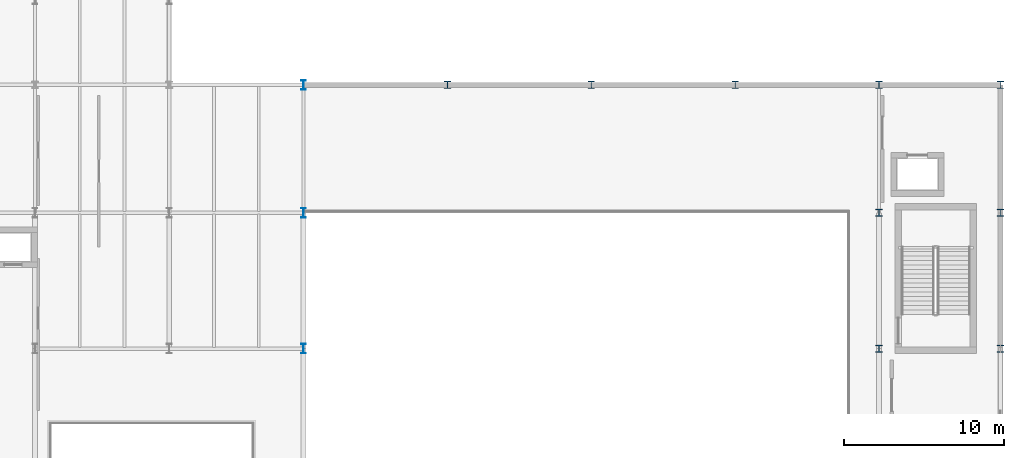
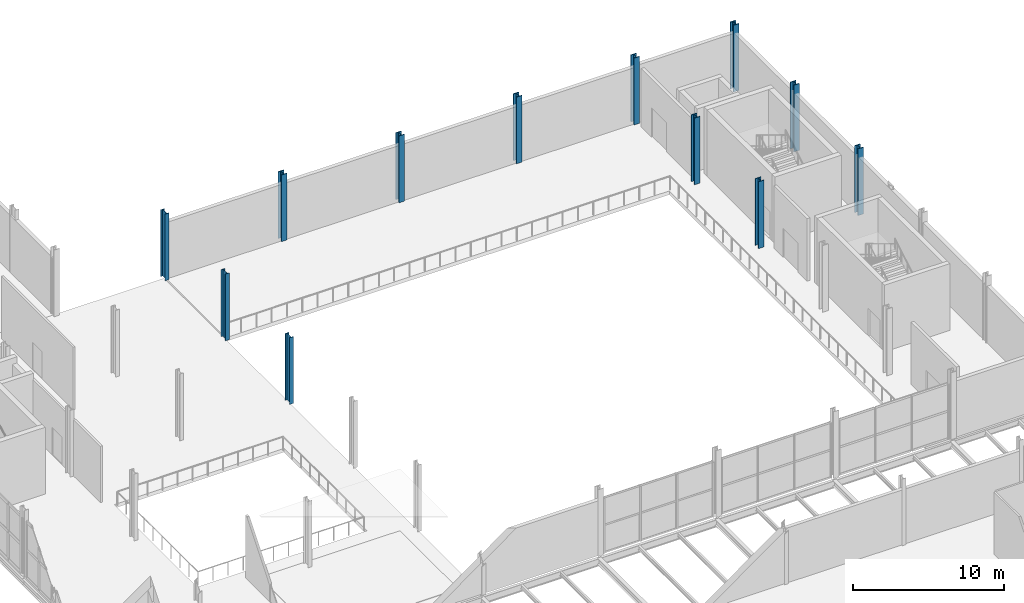
# One storey, part 15 of 78: 12 columns.
"""IFC4 building model written with IfcOpenShell, lengths in metres."""

import ifcopenshell
import ifcopenshell.guid

model = None  # the IFC model being written
_history = None  # IfcOwnerHistory: only IFC2X3 demands one
_inside = {}  # id of a spatial element -> (the spatial element, [elements in it])
_under = {}  # id of a project, library or spatial element -> (it, [spatial elements below it])
_declared = {}  # id of a project -> (the project, [libraries it declares])
_typed = {}  # id of a type object -> (the type object, [elements of that type])
_made_of = {}  # id of a material, layer set ... -> (it, [elements and type objects made of it])


def new_model(schema):
    """Start an empty IFC model of exactly this schema.

    Asked for "IFC4X3", IfcOpenShell would pick the latest addendum, in which some entities
    have other attributes; the version numbers below select the first issue.
    IFC2X3 requires an IfcOwnerHistory on every rooted entity: one is made here for all.
    """
    global model, _history
    if schema == "IFC4X3":
        model = ifcopenshell.file(schema_version=(4, 3, 0, 0))
    else:
        model = ifcopenshell.file(schema=schema)
    _inside.clear()
    _under.clear()
    _declared.clear()
    _typed.clear()
    _made_of.clear()
    _history = None
    if model.schema == "IFC2X3":
        org = make("IfcOrganization", Name="unknown")
        user = make(
            "IfcPersonAndOrganization",
            ThePerson=make("IfcPerson", FamilyName="unknown"),
            TheOrganization=org,
        )
        app = make(
            "IfcApplication",
            ApplicationDeveloper=org,
            Version="unknown",
            ApplicationFullName="unknown",
            ApplicationIdentifier="unknown",
        )
        _history = make(
            "IfcOwnerHistory",
            OwningUser=user,
            OwningApplication=app,
            ChangeAction="ADDED",
            CreationDate=0,
        )
    return model


def make(cls, **values):
    """One entity of the class cls with the attributes given. An attribute that is None is left unset."""
    return model.create_entity(
        cls, **{name: value for name, value in values.items() if value is not None}
    )


def rooted(cls, **values):
    """An entity with a GlobalId (a new one), such as an element, a storey or a relation."""
    return make(cls, GlobalId=ifcopenshell.guid.new(), OwnerHistory=_history, **values)


def si_unit(unit_type, name, prefix=None):
    """IfcSIUnit, for example si_unit("LENGTHUNIT", "METRE", prefix="MILLI")."""
    return make("IfcSIUnit", UnitType=unit_type, Prefix=prefix, Name=name)


def assignment(units):
    """IfcUnitAssignment: the units of a project."""
    return None if units is None else make("IfcUnitAssignment", Units=units)


def point(xyz):
    """IfcCartesianPoint."""
    return None if xyz is None else make("IfcCartesianPoint", Coordinates=xyz)


def direction(xyz):
    """IfcDirection."""
    return None if xyz is None else make("IfcDirection", DirectionRatios=xyz)


def frame(location, z_axis=None, x_axis=None):
    """IfcAxis2Placement3D, a coordinate frame: its origin and axes. An axis left out is left unset."""
    return make(
        "IfcAxis2Placement3D",
        Location=point(location),
        Axis=direction(z_axis),
        RefDirection=direction(x_axis),
    )


def frame_2d(location, x_axis=None):
    """IfcAxis2Placement2D, a coordinate frame in the plane: its origin and x axis."""
    return make(
        "IfcAxis2Placement2D", Location=point(location), RefDirection=direction(x_axis)
    )


def origin():
    """The frame at (0, 0, 0) with its axes left unset."""
    return frame((0.0, 0.0, 0.0))


def origin_2d():
    """The frame at (0, 0) in the plane with its x axis left unset."""
    return frame_2d((0.0, 0.0))


def place(relative_to, where):
    """IfcLocalPlacement: puts the frame where relative to a parent placement (None: the world)."""
    return make(
        "IfcLocalPlacement", PlacementRelTo=relative_to, RelativePlacement=where
    )


def context(
    kind, dimensions, precision=None, world=None, true_north=None, identifier=None
):
    """IfcGeometricRepresentationContext, for example the 3D "Model" context."""
    return make(
        "IfcGeometricRepresentationContext",
        ContextIdentifier=identifier,
        ContextType=kind,
        CoordinateSpaceDimension=dimensions,
        Precision=precision,
        WorldCoordinateSystem=world,
        TrueNorth=true_north,
    )


def subcontext(parent, identifier, kind, view, scale=None):
    """IfcGeometricRepresentationSubContext, for example "Body" below "Model"."""
    return make(
        "IfcGeometricRepresentationSubContext",
        ContextIdentifier=identifier,
        ContextType=kind,
        ParentContext=parent,
        TargetScale=scale,
        TargetView=view,
    )


def project(units=None, contexts=None):
    """IfcProject with its units and contexts."""
    return rooted(
        "IfcProject",
        Name="project",
        RepresentationContexts=contexts,
        UnitsInContext=assignment(units),
    )


def spatial(cls, under=None, at=None, **own):
    """A site, building, storey or space (cls), placed at a placement, below another one or the project."""
    s = rooted(cls, ObjectPlacement=at, **own)
    if under is not None:
        _under.setdefault(under.id(), (under, []))[1].append(s)
    return s


def profile(cls, at=None, kind="AREA", **sizes):
    """A parametric profile (cls). Its sizes go by their IFC names, for example OverallWidth=200.0."""
    return make(cls, ProfileType=kind, Position=at, **sizes)


def i_section(**sizes):
    """IfcIShapeProfileDef."""
    return profile("IfcIShapeProfileDef", **sizes)


def extrude(swept, where, along, depth):
    """IfcExtrudedAreaSolid: the profile swept, set in the frame where, extruded along a direction by depth."""
    return make(
        "IfcExtrudedAreaSolid",
        SweptArea=swept,
        Position=where,
        ExtrudedDirection=direction(along),
        Depth=depth,
    )


def shape(context_of_items, identifier, shape_type, items):
    """IfcShapeRepresentation: the items that make up one representation, for example the "Body"."""
    return make(
        "IfcShapeRepresentation",
        ContextOfItems=context_of_items,
        RepresentationIdentifier=identifier,
        RepresentationType=shape_type,
        Items=items,
    )


def material(Name=None, Category=None):
    """IfcMaterial."""
    return make("IfcMaterial", Name=Name, Category=Category)


def material_profile(
    of_material, cross_section, Name=None, Category=None, Priority=None
):
    """IfcMaterialProfile: a cross section and its material."""
    return make(
        "IfcMaterialProfile",
        Name=Name,
        Material=of_material,
        Profile=cross_section,
        Priority=Priority,
        Category=Category,
    )


def profile_set(profiles, Name=None, composite=None):
    """IfcMaterialProfileSet."""
    return make(
        "IfcMaterialProfileSet",
        Name=Name,
        MaterialProfiles=profiles,
        CompositeProfile=composite,
    )


def made_of(thing, what):
    """Note that an element or type object is made of a material, layer set ...; save() writes the relation."""
    if what is not None:
        _made_of.setdefault(what.id(), (what, []))[1].append(thing)
    return thing


def type_object(cls, material=None, **own):
    """A type object (cls), such as IfcWallType, which elements share."""
    return made_of(rooted(cls, **own), material)


def element(
    cls,
    number,
    at=None,
    inside=None,
    cuts=None,
    type_object=None,
    material=None,
    context=None,
    identifier="Body",
    shape_type=None,
    held_by="IfcProductDefinitionShape",
    body=None,
    shapes=None,
    **own,
):
    """One element of the class cls, such as IfcWall. Its Tag is "e" and its number.

    at: its placement. inside: the storey or other place that contains it. cuts: it is an
    opening in that element (IfcRelVoidsElement). A single representation is given by context,
    identifier, shape_type and body (its items); several are given by shapes. held_by: the class
    of the entity that holds the representations. save() writes the other relations.
    """
    e = rooted(cls, Tag="e%d" % number, ObjectPlacement=at, **own)
    if body is not None:
        shapes = [shape(context, identifier, shape_type, body)]
    if shapes is not None:
        e.Representation = make(held_by, Representations=shapes)
    if inside is not None:
        _inside.setdefault(inside.id(), (inside, []))[1].append(e)
    if cuts is not None:
        rooted(
            "IfcRelVoidsElement", RelatingBuildingElement=cuts, RelatedOpeningElement=e
        )
    if type_object is not None:
        _typed.setdefault(type_object.id(), (type_object, []))[1].append(e)
    return made_of(e, material)


def aggregate(whole, parts):
    """IfcRelAggregates: a whole, such as a stair, and the parts it consists of."""
    return rooted("IfcRelAggregates", RelatingObject=whole, RelatedObjects=parts)


def save(model, path):
    """Write the relations noted so far, then the file.

    IfcRelAggregates (storeys below a building ...), IfcRelContainedInSpatialStructure (elements
    in a storey), IfcRelDefinesByType, IfcRelAssociatesMaterial and IfcRelDeclares: one each for
    every whole, place, type object, material and project.
    """
    for whole, parts in _under.values():
        aggregate(whole, parts)
    for where, things in _inside.values():
        rooted(
            "IfcRelContainedInSpatialStructure",
            RelatedElements=things,
            RelatingStructure=where,
        )
    for kind, things in _typed.values():
        rooted("IfcRelDefinesByType", RelatedObjects=things, RelatingType=kind)
    for what, things in _made_of.values():
        rooted("IfcRelAssociatesMaterial", RelatedObjects=things, RelatingMaterial=what)
    for by, libraries in _declared.values():
        rooted("IfcRelDeclares", RelatingContext=by, RelatedDefinitions=libraries)
    model.write(path)


model = new_model("IFC4")

# Units and contexts
model_context = context("Model", 3, precision=1e-05, world=origin(), true_north=direction((0.0, 1.0)))
body_context = subcontext(model_context, "Body", "Model", "MODEL_VIEW")
ifc_project = project(units=[si_unit("LENGTHUNIT", "METRE"), si_unit("AREAUNIT", "SQUARE_METRE"), si_unit("VOLUMEUNIT", "CUBIC_METRE"), si_unit("PLANEANGLEUNIT", "RADIAN"), si_unit("MASSUNIT", "GRAM", prefix="KILO")], contexts=[model_context])

# Site, building, storey
site_placement = place(None, origin())
site = spatial("IfcSite", under=ifc_project, at=site_placement, CompositionType="ELEMENT")
building_placement = place(site_placement, origin())
building = spatial("IfcBuilding", under=site, at=building_placement, Name="Sefraquen Railside Congress Hotel", CompositionType="ELEMENT")
storey_placement = place(building_placement, frame((0.0, 0.0, 6.0)))
storey = spatial("IfcBuildingStorey", under=building, at=storey_placement, Name="L01", CompositionType="ELEMENT", Elevation=6.0)

# Columns
ifc_material_1 = material(Name="Steel S355J2", Category="steel")
ifc_material_profile_1 = material_profile(ifc_material_1, i_section(OverallWidth=0.424072265625, OverallDepth=0.47412109375, WebThickness=0.044921875, FlangeThickness=0.054931640625, FilletRadius=0.014892578125, at=origin_2d()), Name="HD 400x634")
ifc_profile_set_1 = profile_set([ifc_material_profile_1], Name="Steel S355J2")
column_type_1 = type_object("IfcColumnType", Name="TC-HD-634", PredefinedType="COLUMN", material=ifc_profile_set_1)
for number, where, z_axis, x_axis, name in (
    (1, (164.39990234375, 79.5, 0.0), (0.0, 0.0, 1.0), (1.0, 0.0, 0.0), "Structural column 21-K L01"),
    (2, (164.39990234375, 88.0, 0.0), (0.0, 0.0, 1.0), (1.0, 0.0, 0.0), "Structural column 21-L L01"),
    (3, (164.39990234375, 96.0, 0.0), (0.0, 0.0, 1.0), (1.0, 0.0, 0.0), "Structural column 21-M L01"),
    (4, (172.0, 79.5, 0.0), (0.0, 0.0, 1.0), (1.0, 0.0, 0.0), "Structural column 22-K L01"),
    (5, (172.0, 88.0, 0.0), (0.0, 0.0, 1.0), (1.0, 0.0, 0.0), "Structural column 22-L L01"),
    (6, (172.0, 96.0, 0.0), (0.0, 0.0, 1.0), (1.0, 0.0, 0.0), "Structural column 22-M L01"),
    (7, (137.39990234375, 96.0, 0.0), (0.0, 0.0, 1.0), (1.0, 0.0, 0.0), "Structural column 18-M L01"),
    (8, (146.39990234375, 96.0, 0.0), (0.0, 0.0, 1.0), (1.0, 0.0, 0.0), "Structural column 19-M L01"),
    (9, (155.39990234375, 96.0, 0.0), (0.0, 0.0, 1.0), (1.0, 0.0, 0.0), "Structural column 20-M L01"),
):
    element("IfcColumn", number, at=place(storey_placement, frame(where, z_axis=z_axis, x_axis=x_axis)), inside=storey, type_object=column_type_1, Name=name, PredefinedType="COLUMN", context=body_context, shape_type="SweptSolid", body=[
        extrude(i_section(OverallWidth=0.424072265625, OverallDepth=0.47412109375, WebThickness=0.044921875, FlangeThickness=0.054931640625, FilletRadius=0.014892578125, at=origin_2d()), origin(), (0.0, 0.0, 1.0), 5.39990234375),
    ])
ifc_material_2 = material(Name="Steel S355JR", Category="steel")
ifc_material_profile_2 = material_profile(ifc_material_2, i_section(OverallWidth=0.300048828125, OverallDepth=0.60009765625, WebThickness=0.015380859375, FlangeThickness=0.030029296875, FilletRadius=0.027099609375, at=origin_2d()), Name="HEB 600")
ifc_profile_set_2 = profile_set([ifc_material_profile_2], Name="Steel S355JR")
column_type_2 = type_object("IfcColumnType", Name="TC-HEB-600", PredefinedType="COLUMN", material=ifc_profile_set_2)
for number, where, z_axis, x_axis, name in (
    (10, (128.39990234375, 79.5, 0.0), (0.0, 0.0, 1.0), (1.0, 0.0, 0.0), "Structural column 17-K L01"),
    (11, (128.39990234375, 88.0, 0.0), (0.0, 0.0, 1.0), (1.0, 0.0, 0.0), "Structural column 17-L L01"),
    (12, (128.39990234375, 96.0, 0.0), (0.0, 0.0, 1.0), (1.0, 0.0, 0.0), "Structural column 17-M L01"),
):
    element("IfcColumn", number, at=place(storey_placement, frame(where, z_axis=z_axis, x_axis=x_axis)), inside=storey, type_object=column_type_2, Name=name, PredefinedType="COLUMN", context=body_context, shape_type="SweptSolid", body=[
        extrude(i_section(OverallWidth=0.300048828125, OverallDepth=0.60009765625, WebThickness=0.015380859375, FlangeThickness=0.030029296875, FilletRadius=0.027099609375, at=origin_2d()), origin(), (0.0, 0.0, 1.0), 5.39990234375),
    ])

save(model, "model.ifc")
